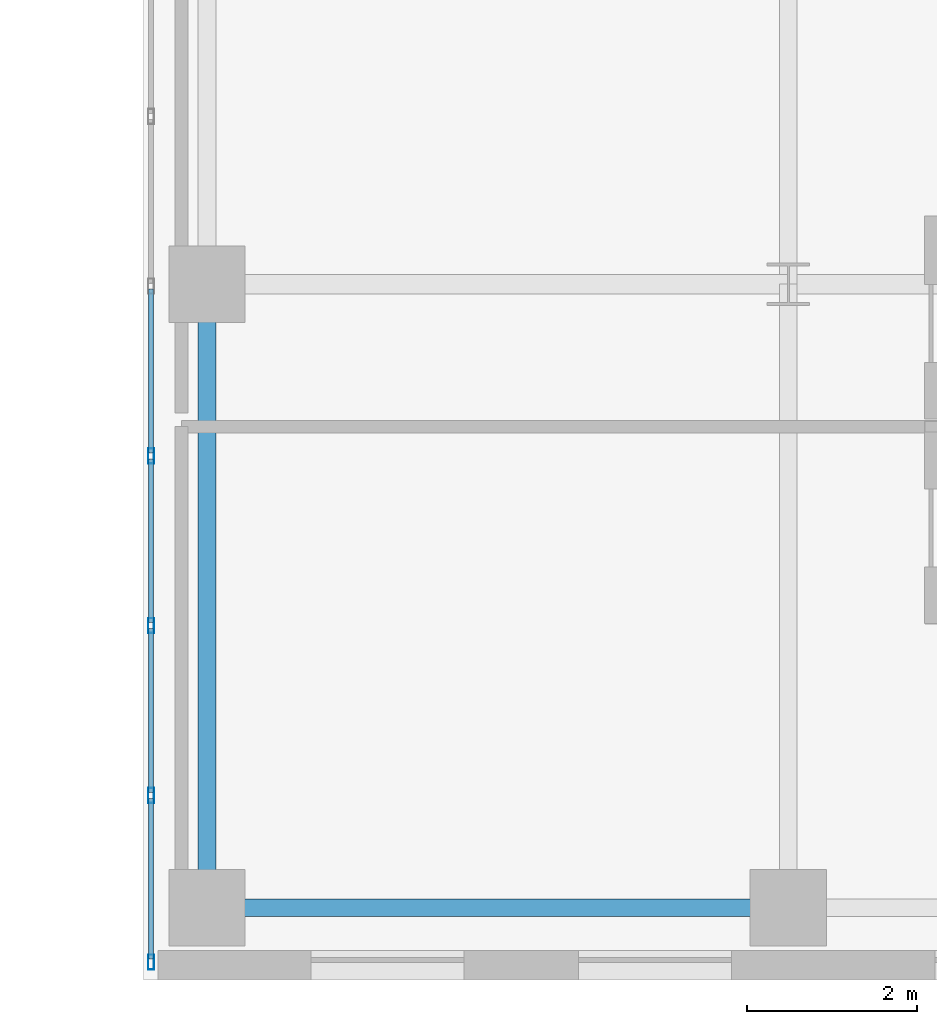
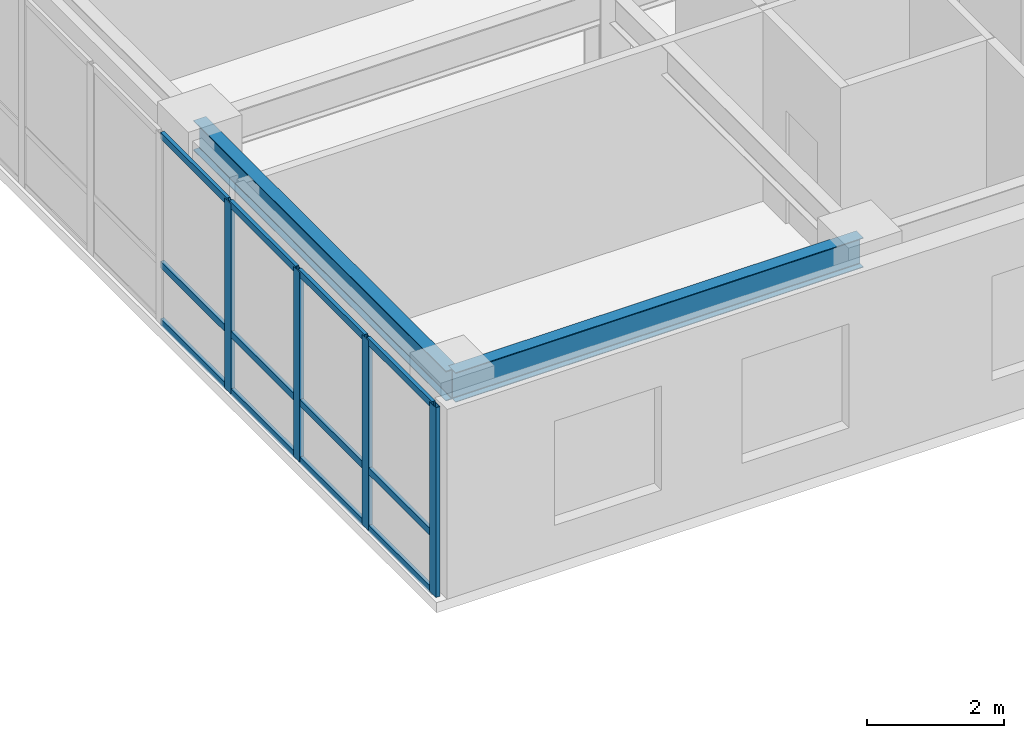
# One storey, part 5 of 17: 16 members, 2 beams, 1 element without a shape of its own.
"""IFC4 building model written with IfcOpenShell, lengths in metres."""

from ifc_helpers import new_model, si_unit, direction, frame, origin, origin_2d, place, context, subcontext, project, spatial, hollow_rectangle, i_section, extrude, source, transform, mapped, material, layer, layer_set, material_profile, profile_set, type_object, type_shapes, element, aggregate, save


model = new_model("IFC4")

# Units and contexts
model_context = context("Model", 3, precision=1e-05, world=origin(), true_north=direction((0.0, 1.0)))
body_context = subcontext(model_context, "Body", "Model", "MODEL_VIEW")
ifc_project = project(units=[si_unit("LENGTHUNIT", "METRE"), si_unit("AREAUNIT", "SQUARE_METRE"), si_unit("VOLUMEUNIT", "CUBIC_METRE"), si_unit("PLANEANGLEUNIT", "RADIAN"), si_unit("MASSUNIT", "GRAM", prefix="KILO")], contexts=[model_context])

# Site, building, storey
site_placement = place(None, origin())
site = spatial("IfcSite", under=ifc_project, at=site_placement, CompositionType="ELEMENT")
building_placement = place(site_placement, origin())
building = spatial("IfcBuilding", under=site, at=building_placement, Name="Tolvann Quenvar Hotel", CompositionType="ELEMENT")
storey_placement = place(building_placement, frame((0.0, 0.0, 136.39990234375)))
storey = spatial("IfcBuildingStorey", under=building, at=storey_placement, Name="L35", CompositionType="ELEMENT", Elevation=136.39990234375)

# Beams
ifc_material_1 = material(Name="Steel Grade 350", Category="steel")
ifc_material_profile_1 = material_profile(ifc_material_1, i_section(OverallWidth=0.208984375, OverallDepth=0.528076171875, WebThickness=0.009521484375, FlangeThickness=0.01318359375, FilletRadius=0.013916015625, at=origin_2d()), Name="530UB82")
ifc_profile_set_1 = profile_set([ifc_material_profile_1], Name="Steel Grade 350")
beam_type_1 = type_object("IfcBeamType", Name="BM_SPAND_530UB82", PredefinedType="SPANDREL", material=ifc_profile_set_1)
shared_shape_1 = source(origin(), body_context, "Body", "SweptSolid", [
    extrude(i_section(OverallWidth=0.208984375, OverallDepth=0.528076171875, WebThickness=0.009521484375, FlangeThickness=0.01318359375, FilletRadius=0.013916015625, at=origin_2d()), origin(), (0.0, 0.0, 1.0), 6.85009765625),
])
type_shapes(beam_type_1, [shared_shape_1])
beam_1_placement = place(storey_placement, frame((34.949951171875, 0.85009765625, 3.106201171875), z_axis=(1.0, 0.0, 0.0), x_axis=(0.0, 1.0, 0.0)))
element("IfcBeam", 1, at=beam_1_placement, inside=storey, type_object=beam_type_1, Name="BM-L35-EW-2-F2-H2", PredefinedType="SPANDREL", context=body_context, shape_type="MappedRepresentation", body=[
    mapped(shared_shape_1, transform((0.0, 0.0, 0.0), x_axis=(1.0, 0.0, 0.0), y_axis=(0.0, 1.0, 0.0), z_axis=(0.0, 0.0, 1.0), scale=1.0)),
])
ifc_material_profile_2 = material_profile(ifc_material_1, i_section(OverallWidth=0.208984375, OverallDepth=0.532958984375, WebThickness=0.01025390625, FlangeThickness=0.015625, FilletRadius=0.013916015625, at=origin_2d()), Name="530UB92")
ifc_profile_set_2 = profile_set([ifc_material_profile_2], Name="Steel Grade 350")
beam_type_2 = type_object("IfcBeamType", Name="BM_GIRD_530UB92", PredefinedType="BEAM", material=ifc_profile_set_2)
shared_shape_2 = source(origin(), body_context, "Body", "SweptSolid", [
    extrude(i_section(OverallWidth=0.208984375, OverallDepth=0.532958984375, WebThickness=0.01025390625, FlangeThickness=0.015625, FilletRadius=0.013916015625, at=origin_2d()), origin(), (0.0, 0.0, 1.0), 7.349853515625),
])
type_shapes(beam_type_2, [shared_shape_2])
beam_2_placement = place(storey_placement, frame((34.949951171875, 0.85009765625, 3.103515625), z_axis=(0.0, 1.0, 0.0), x_axis=(-1.0, 0.0, 0.0)))
element("IfcBeam", 2, at=beam_2_placement, inside=storey, type_object=beam_type_2, Name="BM-L35-NS-F2-F3", PredefinedType="BEAM", context=body_context, shape_type="MappedRepresentation", body=[
    mapped(shared_shape_2, transform((0.0, 0.0, 0.0), x_axis=(1.0, 0.0, 0.0), y_axis=(0.0, 1.0, 0.0), z_axis=(0.0, 0.0, 1.0), scale=1.0)),
])

# Curtain wall, members
ifc_material_2 = material(Name="Thermally broken anodised architectural aluminium 6063-T6 and laminated low-E glass", Category="aluminium")
ifc_layer = layer(ifc_material_2, 0.179931640625)
ifc_layer_set = layer_set([ifc_layer], Name="Thermally broken anodised architectural aluminium 6063-T6 and laminated low-E glass")
curtain_wall_type = type_object("IfcCurtainWallType", Name="CW_SYS_SLOT_03", PredefinedType="USERDEFINED", material=ifc_layer_set)
curtain_wall_placement = place(storey_placement, origin())
curtain_wall = element("IfcCurtainWall", 3, at=curtain_wall_placement, inside=storey, type_object=curtain_wall_type, Name="Curtain Wall CW-SLOT-03 (CWR-L35-E07)", ObjectType="UNITISED CURTAIN WALL", PredefinedType="USERDEFINED")
ifc_material_3 = material(Name="Anodised architectural aluminium 6063-T6 framing", Category="aluminium")
ifc_material_profile_3 = material_profile(ifc_material_3, hollow_rectangle(XDim=0.070068359375, YDim=0.179931640625, WallThickness=0.00390625, at=origin_2d()), Name="180x70x4RHS")
ifc_profile_set_3 = profile_set([ifc_material_profile_3], Name="Anodised architectural aluminium 6063-T6 framing")
member_type_1 = type_object("IfcMemberType", Name="CW_MULL_180x70", PredefinedType="MULLION", material=ifc_profile_set_3)
shared_shape_3 = source(origin(), body_context, "Body", "SweptSolid", [
    extrude(hollow_rectangle(XDim=0.070068359375, YDim=0.179931640625, WallThickness=0.00390625, at=origin_2d()), origin(), (0.0, 0.0, 1.0), 3.3701171875),
])
type_shapes(member_type_1, [shared_shape_3])
member_1_placement = place(storey_placement, frame((34.2900390625, 6.175048828125, 0.0), z_axis=(0.0, 0.0, 1.0), x_axis=(1.0, 0.0, 0.0)))
member_1 = element("IfcMember", 4, at=member_1_placement, type_object=member_type_1, Name="CW-SLOT-03 mullion 6", PredefinedType="MULLION", context=body_context, shape_type="MappedRepresentation", body=[
    mapped(shared_shape_3, transform((0.0, 0.0, 0.0), x_axis=(1.0, 0.0, 0.0), y_axis=(0.0, 1.0, 0.0), z_axis=(0.0, 0.0, 1.0), scale=1.0)),
])
member_2_placement = place(storey_placement, frame((34.2900390625, 4.175048828125, 0.0), z_axis=(0.0, 0.0, 1.0), x_axis=(1.0, 0.0, 0.0)))
member_2 = element("IfcMember", 5, at=member_2_placement, type_object=member_type_1, Name="CW-SLOT-03 mullion 7", PredefinedType="MULLION", context=body_context, shape_type="MappedRepresentation", body=[
    mapped(shared_shape_3, transform((0.0, 0.0, 0.0), x_axis=(1.0, 0.0, 0.0), y_axis=(0.0, 1.0, 0.0), z_axis=(0.0, 0.0, 1.0), scale=1.0)),
])
member_3_placement = place(storey_placement, frame((34.2900390625, 2.175048828125, 0.0), z_axis=(0.0, 0.0, 1.0), x_axis=(1.0, 0.0, 0.0)))
member_3 = element("IfcMember", 6, at=member_3_placement, type_object=member_type_1, Name="CW-SLOT-03 mullion 8", PredefinedType="MULLION", context=body_context, shape_type="MappedRepresentation", body=[
    mapped(shared_shape_3, transform((0.0, 0.0, 0.0), x_axis=(1.0, 0.0, 0.0), y_axis=(0.0, 1.0, 0.0), z_axis=(0.0, 0.0, 1.0), scale=1.0)),
])
member_4_placement = place(storey_placement, frame((34.2900390625, 0.2099609375, 0.0), z_axis=(0.0, 0.0, 1.0), x_axis=(1.0, 0.0, 0.0)))
member_4 = element("IfcMember", 7, at=member_4_placement, type_object=member_type_1, Name="CW-SLOT-03 mullion 9", PredefinedType="MULLION", context=body_context, shape_type="MappedRepresentation", body=[
    mapped(shared_shape_3, transform((0.0, 0.0, 0.0), x_axis=(1.0, 0.0, 0.0), y_axis=(0.0, 1.0, 0.0), z_axis=(0.0, 0.0, 1.0), scale=1.0)),
])
ifc_material_profile_4 = material_profile(ifc_material_3, hollow_rectangle(XDim=0.06005859375, YDim=0.1201171875, WallThickness=0.00341796875, at=origin_2d()), Name="120x60x3.5RHS")
ifc_profile_set_4 = profile_set([ifc_material_profile_4], Name="Anodised architectural aluminium 6063-T6 framing")
member_type_2 = type_object("IfcMemberType", Name="CW_TRAN_120x60", PredefinedType="USERDEFINED", material=ifc_profile_set_4)
shared_shape_4 = source(origin(), body_context, "Body", "SweptSolid", [
    extrude(hollow_rectangle(XDim=0.06005859375, YDim=0.1201171875, WallThickness=0.00341796875, at=origin_2d()), origin(), (0.0, 0.0, 1.0), 1.894775390625),
])
member_5_placement = place(storey_placement, frame((34.2900390625, 2.139892578125, 0.030029296875), z_axis=(0.0, -1.0, 0.0), x_axis=(1.0, 0.0, 0.0)))
member_5 = element("IfcMember", 8, at=member_5_placement, type_object=member_type_2, Name="CW-SLOT-03 transom 8.1", ObjectType="TRANSOM", PredefinedType="USERDEFINED", context=body_context, shape_type="MappedRepresentation", body=[
    mapped(shared_shape_4, transform((0.0, 0.0, 0.0), x_axis=(1.0, 0.0, 0.0), y_axis=(0.0, 1.0, 0.0), z_axis=(0.0, 0.0, 1.0), scale=1.0)),
])
member_6_placement = place(storey_placement, frame((34.2900390625, 2.139892578125, 1.050048828125), z_axis=(0.0, -1.0, 0.0), x_axis=(1.0, 0.0, 0.0)))
member_6 = element("IfcMember", 9, at=member_6_placement, type_object=member_type_2, Name="CW-SLOT-03 transom 8.2", ObjectType="TRANSOM", PredefinedType="USERDEFINED", context=body_context, shape_type="MappedRepresentation", body=[
    mapped(shared_shape_4, transform((0.0, 0.0, 0.0), x_axis=(1.0, 0.0, 0.0), y_axis=(0.0, 1.0, 0.0), z_axis=(0.0, 0.0, 1.0), scale=1.0)),
])
member_7_placement = place(storey_placement, frame((34.2900390625, 2.139892578125, 3.340087890625), z_axis=(0.0, -1.0, 0.0), x_axis=(1.0, 0.0, 0.0)))
member_7 = element("IfcMember", 10, at=member_7_placement, type_object=member_type_2, Name="CW-SLOT-03 transom 8.3", ObjectType="TRANSOM", PredefinedType="USERDEFINED", context=body_context, shape_type="MappedRepresentation", body=[
    mapped(shared_shape_4, transform((0.0, 0.0, 0.0), x_axis=(1.0, 0.0, 0.0), y_axis=(0.0, 1.0, 0.0), z_axis=(0.0, 0.0, 1.0), scale=1.0)),
])
shared_shape_5 = source(origin(), body_context, "Body", "SweptSolid", [
    extrude(hollow_rectangle(XDim=0.06005859375, YDim=0.1201171875, WallThickness=0.00341796875, at=origin_2d()), origin(), (0.0, 0.0, 1.0), 1.929931640625),
])
type_shapes(member_type_2, [shared_shape_4, shared_shape_5])
member_8_placement = place(storey_placement, frame((34.2900390625, 8.139892578125, 0.030029296875), z_axis=(0.0, -1.0, 0.0), x_axis=(1.0, 0.0, 0.0)))
member_8 = element("IfcMember", 11, at=member_8_placement, type_object=member_type_2, Name="CW-SLOT-03 transom 5.1", ObjectType="TRANSOM", PredefinedType="USERDEFINED", context=body_context, shape_type="MappedRepresentation", body=[
    mapped(shared_shape_5, transform((0.0, 0.0, 0.0), x_axis=(1.0, 0.0, 0.0), y_axis=(0.0, 1.0, 0.0), z_axis=(0.0, 0.0, 1.0), scale=1.0)),
])
member_9_placement = place(storey_placement, frame((34.2900390625, 8.139892578125, 1.050048828125), z_axis=(0.0, -1.0, 0.0), x_axis=(1.0, 0.0, 0.0)))
member_9 = element("IfcMember", 12, at=member_9_placement, type_object=member_type_2, Name="CW-SLOT-03 transom 5.2", ObjectType="TRANSOM", PredefinedType="USERDEFINED", context=body_context, shape_type="MappedRepresentation", body=[
    mapped(shared_shape_5, transform((0.0, 0.0, 0.0), x_axis=(1.0, 0.0, 0.0), y_axis=(0.0, 1.0, 0.0), z_axis=(0.0, 0.0, 1.0), scale=1.0)),
])
member_10_placement = place(storey_placement, frame((34.2900390625, 8.139892578125, 3.340087890625), z_axis=(0.0, -1.0, 0.0), x_axis=(1.0, 0.0, 0.0)))
member_10 = element("IfcMember", 13, at=member_10_placement, type_object=member_type_2, Name="CW-SLOT-03 transom 5.3", ObjectType="TRANSOM", PredefinedType="USERDEFINED", context=body_context, shape_type="MappedRepresentation", body=[
    mapped(shared_shape_5, transform((0.0, 0.0, 0.0), x_axis=(1.0, 0.0, 0.0), y_axis=(0.0, 1.0, 0.0), z_axis=(0.0, 0.0, 1.0), scale=1.0)),
])
member_11_placement = place(storey_placement, frame((34.2900390625, 6.139892578125, 0.030029296875), z_axis=(0.0, -1.0, 0.0), x_axis=(1.0, 0.0, 0.0)))
member_11 = element("IfcMember", 14, at=member_11_placement, type_object=member_type_2, Name="CW-SLOT-03 transom 6.1", ObjectType="TRANSOM", PredefinedType="USERDEFINED", context=body_context, shape_type="MappedRepresentation", body=[
    mapped(shared_shape_5, transform((0.0, 0.0, 0.0), x_axis=(1.0, 0.0, 0.0), y_axis=(0.0, 1.0, 0.0), z_axis=(0.0, 0.0, 1.0), scale=1.0)),
])
member_12_placement = place(storey_placement, frame((34.2900390625, 6.139892578125, 1.050048828125), z_axis=(0.0, -1.0, 0.0), x_axis=(1.0, 0.0, 0.0)))
member_12 = element("IfcMember", 15, at=member_12_placement, type_object=member_type_2, Name="CW-SLOT-03 transom 6.2", ObjectType="TRANSOM", PredefinedType="USERDEFINED", context=body_context, shape_type="MappedRepresentation", body=[
    mapped(shared_shape_5, transform((0.0, 0.0, 0.0), x_axis=(1.0, 0.0, 0.0), y_axis=(0.0, 1.0, 0.0), z_axis=(0.0, 0.0, 1.0), scale=1.0)),
])
member_13_placement = place(storey_placement, frame((34.2900390625, 6.139892578125, 3.340087890625), z_axis=(0.0, -1.0, 0.0), x_axis=(1.0, 0.0, 0.0)))
member_13 = element("IfcMember", 16, at=member_13_placement, type_object=member_type_2, Name="CW-SLOT-03 transom 6.3", ObjectType="TRANSOM", PredefinedType="USERDEFINED", context=body_context, shape_type="MappedRepresentation", body=[
    mapped(shared_shape_5, transform((0.0, 0.0, 0.0), x_axis=(1.0, 0.0, 0.0), y_axis=(0.0, 1.0, 0.0), z_axis=(0.0, 0.0, 1.0), scale=1.0)),
])
member_14_placement = place(storey_placement, frame((34.2900390625, 4.139892578125, 0.030029296875), z_axis=(0.0, -1.0, 0.0), x_axis=(1.0, 0.0, 0.0)))
member_14 = element("IfcMember", 17, at=member_14_placement, type_object=member_type_2, Name="CW-SLOT-03 transom 7.1", ObjectType="TRANSOM", PredefinedType="USERDEFINED", context=body_context, shape_type="MappedRepresentation", body=[
    mapped(shared_shape_5, transform((0.0, 0.0, 0.0), x_axis=(1.0, 0.0, 0.0), y_axis=(0.0, 1.0, 0.0), z_axis=(0.0, 0.0, 1.0), scale=1.0)),
])
member_15_placement = place(storey_placement, frame((34.2900390625, 4.139892578125, 1.050048828125), z_axis=(0.0, -1.0, 0.0), x_axis=(1.0, 0.0, 0.0)))
member_15 = element("IfcMember", 18, at=member_15_placement, type_object=member_type_2, Name="CW-SLOT-03 transom 7.2", ObjectType="TRANSOM", PredefinedType="USERDEFINED", context=body_context, shape_type="MappedRepresentation", body=[
    mapped(shared_shape_5, transform((0.0, 0.0, 0.0), x_axis=(1.0, 0.0, 0.0), y_axis=(0.0, 1.0, 0.0), z_axis=(0.0, 0.0, 1.0), scale=1.0)),
])
member_16_placement = place(storey_placement, frame((34.2900390625, 4.139892578125, 3.340087890625), z_axis=(0.0, -1.0, 0.0), x_axis=(1.0, 0.0, 0.0)))
member_16 = element("IfcMember", 19, at=member_16_placement, type_object=member_type_2, Name="CW-SLOT-03 transom 7.3", ObjectType="TRANSOM", PredefinedType="USERDEFINED", context=body_context, shape_type="MappedRepresentation", body=[
    mapped(shared_shape_5, transform((0.0, 0.0, 0.0), x_axis=(1.0, 0.0, 0.0), y_axis=(0.0, 1.0, 0.0), z_axis=(0.0, 0.0, 1.0), scale=1.0)),
])
aggregate(curtain_wall, [member_1, member_2, member_3, member_4, member_8, member_9, member_10, member_11, member_12, member_13, member_14, member_15, member_16, member_5, member_6, member_7])

save(model, "model.ifc")
